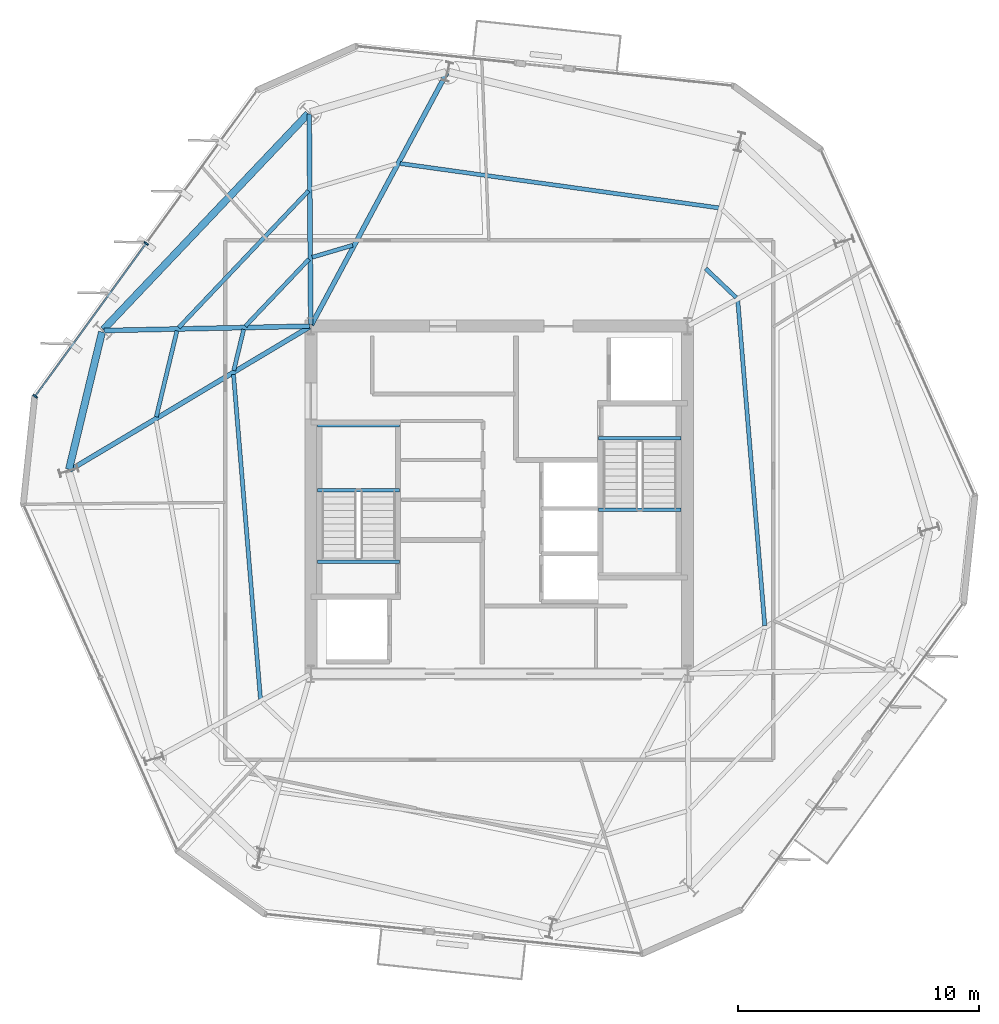
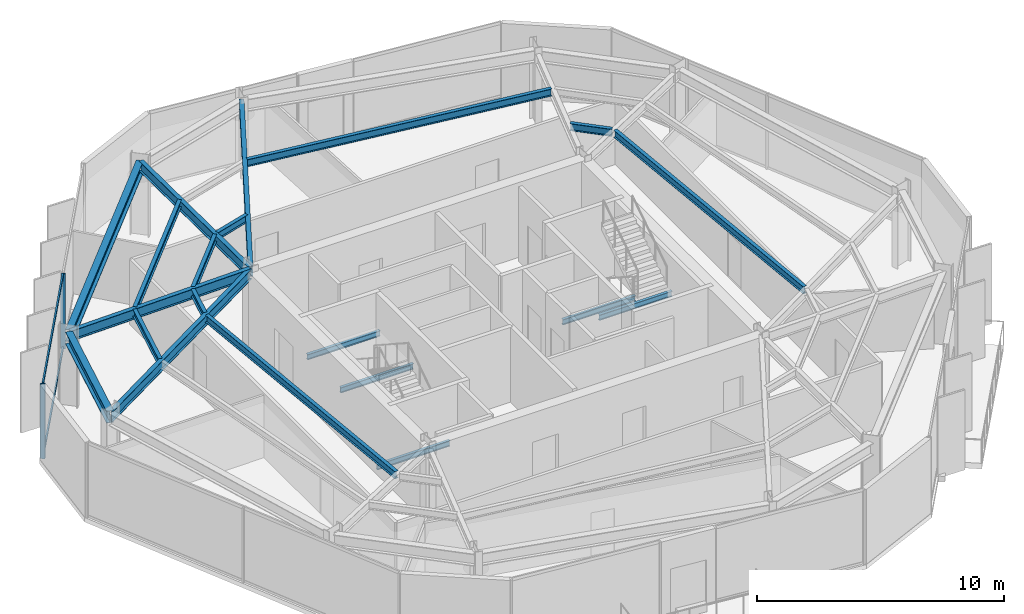
# One storey, part 4 of 12: 20 beams, 4 members, 1 element without a shape of its own.
"""IFC4 building model written with IfcOpenShell, lengths in metres."""

import ifcopenshell
import ifcopenshell.guid

model = None  # the IFC model being written
_history = None  # IfcOwnerHistory: only IFC2X3 demands one
_inside = {}  # id of a spatial element -> (the spatial element, [elements in it])
_under = {}  # id of a project, library or spatial element -> (it, [spatial elements below it])
_declared = {}  # id of a project -> (the project, [libraries it declares])
_typed = {}  # id of a type object -> (the type object, [elements of that type])
_made_of = {}  # id of a material, layer set ... -> (it, [elements and type objects made of it])


def new_model(schema):
    """Start an empty IFC model of exactly this schema.

    Asked for "IFC4X3", IfcOpenShell would pick the latest addendum, in which some entities
    have other attributes; the version numbers below select the first issue.
    IFC2X3 requires an IfcOwnerHistory on every rooted entity: one is made here for all.
    """
    global model, _history
    if schema == "IFC4X3":
        model = ifcopenshell.file(schema_version=(4, 3, 0, 0))
    else:
        model = ifcopenshell.file(schema=schema)
    _inside.clear()
    _under.clear()
    _declared.clear()
    _typed.clear()
    _made_of.clear()
    _history = None
    if model.schema == "IFC2X3":
        org = make("IfcOrganization", Name="unknown")
        user = make(
            "IfcPersonAndOrganization",
            ThePerson=make("IfcPerson", FamilyName="unknown"),
            TheOrganization=org,
        )
        app = make(
            "IfcApplication",
            ApplicationDeveloper=org,
            Version="unknown",
            ApplicationFullName="unknown",
            ApplicationIdentifier="unknown",
        )
        _history = make(
            "IfcOwnerHistory",
            OwningUser=user,
            OwningApplication=app,
            ChangeAction="ADDED",
            CreationDate=0,
        )
    return model


def make(cls, **values):
    """One entity of the class cls with the attributes given. An attribute that is None is left unset."""
    return model.create_entity(
        cls, **{name: value for name, value in values.items() if value is not None}
    )


def rooted(cls, **values):
    """An entity with a GlobalId (a new one), such as an element, a storey or a relation."""
    return make(cls, GlobalId=ifcopenshell.guid.new(), OwnerHistory=_history, **values)


def si_unit(unit_type, name, prefix=None):
    """IfcSIUnit, for example si_unit("LENGTHUNIT", "METRE", prefix="MILLI")."""
    return make("IfcSIUnit", UnitType=unit_type, Prefix=prefix, Name=name)


def assignment(units):
    """IfcUnitAssignment: the units of a project."""
    return None if units is None else make("IfcUnitAssignment", Units=units)


def point(xyz):
    """IfcCartesianPoint."""
    return None if xyz is None else make("IfcCartesianPoint", Coordinates=xyz)


def direction(xyz):
    """IfcDirection."""
    return None if xyz is None else make("IfcDirection", DirectionRatios=xyz)


def frame(location, z_axis=None, x_axis=None):
    """IfcAxis2Placement3D, a coordinate frame: its origin and axes. An axis left out is left unset."""
    return make(
        "IfcAxis2Placement3D",
        Location=point(location),
        Axis=direction(z_axis),
        RefDirection=direction(x_axis),
    )


def frame_2d(location, x_axis=None):
    """IfcAxis2Placement2D, a coordinate frame in the plane: its origin and x axis."""
    return make(
        "IfcAxis2Placement2D", Location=point(location), RefDirection=direction(x_axis)
    )


def origin():
    """The frame at (0, 0, 0) with its axes left unset."""
    return frame((0.0, 0.0, 0.0))


def origin_2d():
    """The frame at (0, 0) in the plane with its x axis left unset."""
    return frame_2d((0.0, 0.0))


def place(relative_to, where):
    """IfcLocalPlacement: puts the frame where relative to a parent placement (None: the world)."""
    return make(
        "IfcLocalPlacement", PlacementRelTo=relative_to, RelativePlacement=where
    )


def context(
    kind, dimensions, precision=None, world=None, true_north=None, identifier=None
):
    """IfcGeometricRepresentationContext, for example the 3D "Model" context."""
    return make(
        "IfcGeometricRepresentationContext",
        ContextIdentifier=identifier,
        ContextType=kind,
        CoordinateSpaceDimension=dimensions,
        Precision=precision,
        WorldCoordinateSystem=world,
        TrueNorth=true_north,
    )


def subcontext(parent, identifier, kind, view, scale=None):
    """IfcGeometricRepresentationSubContext, for example "Body" below "Model"."""
    return make(
        "IfcGeometricRepresentationSubContext",
        ContextIdentifier=identifier,
        ContextType=kind,
        ParentContext=parent,
        TargetScale=scale,
        TargetView=view,
    )


def project(units=None, contexts=None):
    """IfcProject with its units and contexts."""
    return rooted(
        "IfcProject",
        Name="project",
        RepresentationContexts=contexts,
        UnitsInContext=assignment(units),
    )


def spatial(cls, under=None, at=None, **own):
    """A site, building, storey or space (cls), placed at a placement, below another one or the project."""
    s = rooted(cls, ObjectPlacement=at, **own)
    if under is not None:
        _under.setdefault(under.id(), (under, []))[1].append(s)
    return s


def profile(cls, at=None, kind="AREA", **sizes):
    """A parametric profile (cls). Its sizes go by their IFC names, for example OverallWidth=200.0."""
    return make(cls, ProfileType=kind, Position=at, **sizes)


def rectangle(**sizes):
    """IfcRectangleProfileDef."""
    return profile("IfcRectangleProfileDef", **sizes)


def i_section(**sizes):
    """IfcIShapeProfileDef."""
    return profile("IfcIShapeProfileDef", **sizes)


def extrude(swept, where, along, depth):
    """IfcExtrudedAreaSolid: the profile swept, set in the frame where, extruded along a direction by depth."""
    return make(
        "IfcExtrudedAreaSolid",
        SweptArea=swept,
        Position=where,
        ExtrudedDirection=direction(along),
        Depth=depth,
    )


def shape(context_of_items, identifier, shape_type, items):
    """IfcShapeRepresentation: the items that make up one representation, for example the "Body"."""
    return make(
        "IfcShapeRepresentation",
        ContextOfItems=context_of_items,
        RepresentationIdentifier=identifier,
        RepresentationType=shape_type,
        Items=items,
    )


def material(Name=None, Category=None):
    """IfcMaterial."""
    return make("IfcMaterial", Name=Name, Category=Category)


def layer(
    of_material, thickness, ventilated=None, Name=None, Category=None, Priority=None
):
    """IfcMaterialLayer: one layer of a wall or slab, of a material (None: an air gap)."""
    return make(
        "IfcMaterialLayer",
        Material=of_material,
        LayerThickness=thickness,
        IsVentilated=ventilated,
        Name=Name,
        Category=Category,
        Priority=Priority,
    )


def layer_set(layers, Name=None):
    """IfcMaterialLayerSet."""
    return make("IfcMaterialLayerSet", MaterialLayers=layers, LayerSetName=Name)


def material_profile(
    of_material, cross_section, Name=None, Category=None, Priority=None
):
    """IfcMaterialProfile: a cross section and its material."""
    return make(
        "IfcMaterialProfile",
        Name=Name,
        Material=of_material,
        Profile=cross_section,
        Priority=Priority,
        Category=Category,
    )


def profile_set(profiles, Name=None, composite=None):
    """IfcMaterialProfileSet."""
    return make(
        "IfcMaterialProfileSet",
        Name=Name,
        MaterialProfiles=profiles,
        CompositeProfile=composite,
    )


def made_of(thing, what):
    """Note that an element or type object is made of a material, layer set ...; save() writes the relation."""
    if what is not None:
        _made_of.setdefault(what.id(), (what, []))[1].append(thing)
    return thing


def type_object(cls, material=None, **own):
    """A type object (cls), such as IfcWallType, which elements share."""
    return made_of(rooted(cls, **own), material)


def element(
    cls,
    number,
    at=None,
    inside=None,
    cuts=None,
    type_object=None,
    material=None,
    context=None,
    identifier="Body",
    shape_type=None,
    held_by="IfcProductDefinitionShape",
    body=None,
    shapes=None,
    **own,
):
    """One element of the class cls, such as IfcWall. Its Tag is "e" and its number.

    at: its placement. inside: the storey or other place that contains it. cuts: it is an
    opening in that element (IfcRelVoidsElement). A single representation is given by context,
    identifier, shape_type and body (its items); several are given by shapes. held_by: the class
    of the entity that holds the representations. save() writes the other relations.
    """
    e = rooted(cls, Tag="e%d" % number, ObjectPlacement=at, **own)
    if body is not None:
        shapes = [shape(context, identifier, shape_type, body)]
    if shapes is not None:
        e.Representation = make(held_by, Representations=shapes)
    if inside is not None:
        _inside.setdefault(inside.id(), (inside, []))[1].append(e)
    if cuts is not None:
        rooted(
            "IfcRelVoidsElement", RelatingBuildingElement=cuts, RelatedOpeningElement=e
        )
    if type_object is not None:
        _typed.setdefault(type_object.id(), (type_object, []))[1].append(e)
    return made_of(e, material)


def aggregate(whole, parts):
    """IfcRelAggregates: a whole, such as a stair, and the parts it consists of."""
    return rooted("IfcRelAggregates", RelatingObject=whole, RelatedObjects=parts)


def save(model, path):
    """Write the relations noted so far, then the file.

    IfcRelAggregates (storeys below a building ...), IfcRelContainedInSpatialStructure (elements
    in a storey), IfcRelDefinesByType, IfcRelAssociatesMaterial and IfcRelDeclares: one each for
    every whole, place, type object, material and project.
    """
    for whole, parts in _under.values():
        aggregate(whole, parts)
    for where, things in _inside.values():
        rooted(
            "IfcRelContainedInSpatialStructure",
            RelatedElements=things,
            RelatingStructure=where,
        )
    for kind, things in _typed.values():
        rooted("IfcRelDefinesByType", RelatedObjects=things, RelatingType=kind)
    for what, things in _made_of.values():
        rooted("IfcRelAssociatesMaterial", RelatedObjects=things, RelatingMaterial=what)
    for by, libraries in _declared.values():
        rooted("IfcRelDeclares", RelatingContext=by, RelatedDefinitions=libraries)
    model.write(path)


model = new_model("IFC4")

# Units and contexts
model_context = context("Model", 3, precision=1e-05, world=origin(), true_north=direction((0.0, 1.0)))
body_context = subcontext(model_context, "Body", "Model", "MODEL_VIEW")
ifc_project = project(units=[si_unit("LENGTHUNIT", "METRE"), si_unit("AREAUNIT", "SQUARE_METRE"), si_unit("VOLUMEUNIT", "CUBIC_METRE"), si_unit("PLANEANGLEUNIT", "RADIAN"), si_unit("MASSUNIT", "GRAM", prefix="KILO")], contexts=[model_context])

# Site, building, storey
site_placement = place(None, origin())
site = spatial("IfcSite", under=ifc_project, at=site_placement, CompositionType="ELEMENT")
building_placement = place(site_placement, origin())
building = spatial("IfcBuilding", under=site, at=building_placement, Name="Kranzbogen Civic Tower", CompositionType="ELEMENT")
storey_placement = place(building_placement, frame((0.0, 0.0, 240.800048828125)))
storey = spatial("IfcBuildingStorey", under=building, at=storey_placement, Name="L58", CompositionType="ELEMENT", Elevation=240.800048828125)

# Curtain wall, members
ifc_material_1 = material(Name="Pale Anodised Aluminium", Category="aluminium")
ifc_layer = layer(ifc_material_1, 0.219970703125, Name="Pale Anodised Aluminium")
ifc_layer_set = layer_set([ifc_layer], Name="Pale Anodised Aluminium")
curtain_wall_type = type_object("IfcCurtainWallType", Name="Zone 3 Stick Curtain Wall System CW-04", PredefinedType="USERDEFINED", material=ifc_layer_set)
curtain_wall_placement = place(storey_placement, origin())
curtain_wall = element("IfcCurtainWall", 1, at=curtain_wall_placement, inside=storey, type_object=curtain_wall_type, Name="L58 curtain wall CW-L58-F2", ObjectType="STICK CURTAIN WALL", PredefinedType="USERDEFINED")
ifc_material_profile_1 = material_profile(ifc_material_1, rectangle(XDim=0.070068359375, YDim=0.199951171875, at=origin_2d()), Name="ALU-M 70x200")
ifc_profile_set_1 = profile_set([ifc_material_profile_1], Name="Pale Anodised Aluminium")
member_type_1 = type_object("IfcMemberType", Name="Curtain Wall Mullion ALU-M 70x200", PredefinedType="MULLION", material=ifc_profile_set_1)
member_1_placement = place(storey_placement, frame((10.3798828125, 35.62255859375, 0.0), z_axis=(0.0, 0.0, 1.0), x_axis=(-0.587777922218, -0.809022319935, 0.0)))
member_1 = element("IfcMember", 2, at=member_1_placement, type_object=member_type_1, Name="CW-04 mullion 2", PredefinedType="MULLION", context=body_context, shape_type="SweptSolid", body=[
    extrude(rectangle(XDim=0.070068359375, YDim=0.199951171875, at=origin_2d()), origin(), (0.0, 0.0, 1.0), 3.699951171875),
])
member_2_placement = place(storey_placement, frame((5.78173828125, 29.293212890625, 0.0), z_axis=(0.0, 0.0, 1.0), x_axis=(-0.587777922218, -0.809022319935, 0.0)))
member_2 = element("IfcMember", 3, at=member_2_placement, type_object=member_type_1, Name="CW-04 mullion 3", PredefinedType="MULLION", context=body_context, shape_type="SweptSolid", body=[
    extrude(rectangle(XDim=0.070068359375, YDim=0.199951171875, at=origin_2d()), origin(), (0.0, 0.0, 1.0), 3.699951171875),
])
ifc_material_profile_2 = material_profile(ifc_material_1, rectangle(XDim=0.070068359375, YDim=0.14990234375, at=origin_2d()), Name="ALU-T 70x150")
ifc_profile_set_2 = profile_set([ifc_material_profile_2], Name="Pale Anodised Aluminium")
member_type_2 = type_object("IfcMemberType", Name="Curtain Wall Transom ALU-T 70x150", PredefinedType="USERDEFINED", material=ifc_profile_set_2)
member_3_placement = place(storey_placement, frame((10.3623046875, 35.59814453125, 0.030029296875), z_axis=(-0.587778942742, -0.809021578494, 0.0), x_axis=(0.809021578494, -0.587778942742, 0.0)))
member_3 = element("IfcMember", 4, at=member_3_placement, type_object=member_type_2, Name="CW-04 transom 2.1", ObjectType="TRANSOM", PredefinedType="USERDEFINED", context=body_context, shape_type="SweptSolid", body=[
    extrude(rectangle(XDim=0.070068359375, YDim=0.14990234375, at=origin_2d()), origin(), (0.0, 0.0, 1.0), 7.76318359375),
])
member_4_placement = place(storey_placement, frame((10.3623046875, 35.59814453125, 3.669921875), z_axis=(-0.587778942742, -0.809021578494, 0.0), x_axis=(0.809021578494, -0.587778942742, 0.0)))
member_4 = element("IfcMember", 5, at=member_4_placement, type_object=member_type_2, Name="CW-04 transom 2.2", ObjectType="TRANSOM", PredefinedType="USERDEFINED", context=body_context, shape_type="SweptSolid", body=[
    extrude(rectangle(XDim=0.070068359375, YDim=0.14990234375, at=origin_2d()), origin(), (0.0, 0.0, 1.0), 7.76318359375),
])
aggregate(curtain_wall, [member_1, member_2, member_3, member_4])

# Beams
ifc_material_2 = material(Name="Steel S355", Category="steel")
ifc_material_profile_3 = material_profile(ifc_material_2, i_section(OverallWidth=0.300048828125, OverallDepth=0.60009765625, WebThickness=0.015380859375, FlangeThickness=0.030029296875, at=origin_2d()), Name="HEB 600")
ifc_profile_set_3 = profile_set([ifc_material_profile_3], Name="Steel S355")
beam_type_1 = type_object("IfcBeamType", Name="Perimeter Tube Spandrel Beam HEB 600", PredefinedType="SPANDREL", material=ifc_profile_set_3)
beam_1_placement = place(storey_placement, frame((17.092041015625, 41.0, 3.39990234375), z_axis=(-0.688373497874, -0.725356414065, 0.0), x_axis=(0.725356414065, -0.688373497874, 0.0)))
element("IfcBeam", 6, at=beam_1_placement, inside=storey, type_object=beam_type_1, Name="L58 perimeter spandrel beam 10", PredefinedType="SPANDREL", context=body_context, shape_type="SweptSolid", body=[
    extrude(i_section(OverallWidth=0.300048828125, OverallDepth=0.60009765625, WebThickness=0.015380859375, FlangeThickness=0.030029296875, at=origin_2d()), origin(), (0.0, 0.0, 1.0), 12.324951171875),
])
beam_2_placement = place(storey_placement, frame((8.552978515625, 31.9580078125, 3.39990234375), z_axis=(-0.233554380434, -0.972343741369, 0.0), x_axis=(0.972343741369, -0.233554380434, 0.0)))
element("IfcBeam", 7, at=beam_2_placement, inside=storey, type_object=beam_type_1, Name="L58 perimeter spandrel beam 11", PredefinedType="SPANDREL", context=body_context, shape_type="SweptSolid", body=[
    extrude(i_section(OverallWidth=0.300048828125, OverallDepth=0.60009765625, WebThickness=0.015380859375, FlangeThickness=0.030029296875, at=origin_2d()), origin(), (0.0, 0.0, 1.0), 5.852783203125),
])
ifc_material_profile_4 = material_profile(ifc_material_2, i_section(OverallWidth=0.199951171875, OverallDepth=0.5, WebThickness=0.01025390625, FlangeThickness=0.01611328125, at=origin_2d()), Name="IPE 500")
ifc_profile_set_4 = profile_set([ifc_material_profile_4], Name="Steel S355")
beam_type_2 = type_object("IfcBeamType", Name="Radial Tower Floor Girder IPE 500", PredefinedType="BEAM", material=ifc_profile_set_4)
beam_3_placement = place(storey_placement, frame((22.83203125, 42.68701171875, 3.449951171875), z_axis=(-0.473160413549, -0.880976289721, 0.0), x_axis=(0.880976289721, -0.473160413549, 0.0)))
element("IfcBeam", 8, at=beam_3_placement, inside=storey, type_object=beam_type_2, Name="L58 radial floor girder 09", PredefinedType="BEAM", context=body_context, shape_type="SweptSolid", body=[
    extrude(i_section(OverallWidth=0.199951171875, OverallDepth=0.5, WebThickness=0.01025390625, FlangeThickness=0.01611328125, at=origin_2d()), origin(), (0.0, 0.0, 1.0), 11.84375),
])
beam_4_placement = place(storey_placement, frame((17.133056640625, 40.98388671875, 3.449951171875), z_axis=(0.007667756557, -0.999970602323, 0.0), x_axis=(0.999970602323, 0.007667756557, 0.0)))
element("IfcBeam", 9, at=beam_4_placement, inside=storey, type_object=beam_type_2, Name="L58 radial floor girder 10", PredefinedType="BEAM", context=body_context, shape_type="SweptSolid", body=[
    extrude(i_section(OverallWidth=0.199951171875, OverallDepth=0.5, WebThickness=0.01025390625, FlangeThickness=0.01611328125, at=origin_2d()), origin(), (0.0, 0.0, 1.0), 8.72412109375),
])
beam_5_placement = place(storey_placement, frame((8.626953125, 32.01708984375, 3.449951171875), z_axis=(0.99977183191, 0.021360808018, 0.0), x_axis=(-0.021360808018, 0.99977183191, 0.0)))
element("IfcBeam", 10, at=beam_5_placement, inside=storey, type_object=beam_type_2, Name="L58 radial floor girder 11", PredefinedType="BEAM", context=body_context, shape_type="SweptSolid", body=[
    extrude(i_section(OverallWidth=0.199951171875, OverallDepth=0.5, WebThickness=0.01025390625, FlangeThickness=0.01611328125, at=origin_2d()), origin(), (0.0, 0.0, 1.0), 8.514892578125),
])
beam_6_placement = place(storey_placement, frame((7.22412109375, 26.239990234375, 3.449951171875), z_axis=(0.858458551809, 0.512882944565, 0.0), x_axis=(-0.512882944565, 0.858458551809, 0.0)))
element("IfcBeam", 11, at=beam_6_placement, inside=storey, type_object=beam_type_2, Name="L58 radial floor girder 12", PredefinedType="BEAM", context=body_context, shape_type="SweptSolid", body=[
    extrude(i_section(OverallWidth=0.199951171875, OverallDepth=0.5, WebThickness=0.01025390625, FlangeThickness=0.01611328125, at=origin_2d()), origin(), (0.0, 0.0, 1.0), 11.56005859375),
])
ifc_material_profile_5 = material_profile(ifc_material_2, i_section(OverallWidth=0.169921875, OverallDepth=0.360107421875, WebThickness=0.008056640625, FlangeThickness=0.0126953125, at=origin_2d()), Name="IPE 360")
ifc_profile_set_5 = profile_set([ifc_material_profile_5], Name="Steel S355")
beam_type_3 = type_object("IfcBeamType", Name="Secondary Composite Floor Joist IPE 360", PredefinedType="JOIST", material=ifc_profile_set_5)
beam_7_placement = place(storey_placement, frame((36.001953125, 19.797119140625, 3.52001953125), z_axis=(-0.082825426692, 0.996564071544, 0.0), x_axis=(-0.996564071544, -0.082825426692, 0.0)))
element("IfcBeam", 12, at=beam_7_placement, inside=storey, type_object=beam_type_3, Name="L58 secondary floor joist 2.06", PredefinedType="JOIST", context=body_context, shape_type="SweptSolid", body=[
    extrude(i_section(OverallWidth=0.169921875, OverallDepth=0.360107421875, WebThickness=0.008056640625, FlangeThickness=0.0126953125, at=origin_2d()), origin(), (0.0, 0.0, 1.0), 13.497314453125),
])
beam_8_placement = place(storey_placement, frame((34.820068359375, 33.383056640625, 3.52001953125), z_axis=(-0.725479767774, 0.688243493649, 0.0), x_axis=(-0.688243493649, -0.725479767774, 0.0)))
element("IfcBeam", 13, at=beam_8_placement, inside=storey, type_object=beam_type_3, Name="L58 secondary floor joist 2.07", PredefinedType="JOIST", context=body_context, shape_type="SweptSolid", body=[
    extrude(i_section(OverallWidth=0.169921875, OverallDepth=0.360107421875, WebThickness=0.008056640625, FlangeThickness=0.0126953125, at=origin_2d()), origin(), (0.0, 0.0, 1.0), 1.75048828125),
])
beam_9_placement = place(storey_placement, frame((34.10400390625, 37.096923828125, 3.52001953125), z_axis=(-0.990445837232, 0.137902296968, 0.0), x_axis=(-0.137902296968, -0.990445837232, 0.0)))
element("IfcBeam", 14, at=beam_9_placement, inside=storey, type_object=beam_type_3, Name="L58 secondary floor joist 1.08", PredefinedType="JOIST", context=body_context, shape_type="SweptSolid", body=[
    extrude(i_section(OverallWidth=0.169921875, OverallDepth=0.360107421875, WebThickness=0.008056640625, FlangeThickness=0.0126953125, at=origin_2d()), origin(), (0.0, 0.0, 1.0), 13.329345703125),
])
beam_10_placement = place(storey_placement, frame((18.93408203125, 35.550048828125, 3.52001953125), z_axis=(-0.958871214757, -0.283841493638, 0.0), x_axis=(0.283841493638, -0.958871214757, 0.0)))
element("IfcBeam", 15, at=beam_10_placement, inside=storey, type_object=beam_type_3, Name="L58 secondary floor joist 2.09", PredefinedType="JOIST", context=body_context, shape_type="SweptSolid", body=[
    extrude(i_section(OverallWidth=0.169921875, OverallDepth=0.360107421875, WebThickness=0.008056640625, FlangeThickness=0.0126953125, at=origin_2d()), origin(), (0.0, 0.0, 1.0), 1.751220703125),
])
beam_11_placement = place(storey_placement, frame((17.10205078125, 37.802001953125, 3.52001953125), z_axis=(-0.688282381634, -0.725442873789, 0.0), x_axis=(0.725442873789, -0.688282381634, 0.0)))
element("IfcBeam", 16, at=beam_11_placement, inside=storey, type_object=beam_type_3, Name="L58 secondary floor joist 1.10", PredefinedType="JOIST", context=body_context, shape_type="SweptSolid", body=[
    extrude(i_section(OverallWidth=0.169921875, OverallDepth=0.360107421875, WebThickness=0.008056640625, FlangeThickness=0.0126953125, at=origin_2d()), origin(), (0.0, 0.0, 1.0), 7.804931640625),
])
beam_12_placement = place(storey_placement, frame((17.123046875, 34.971923828125, 3.52001953125), z_axis=(-0.688175084876, -0.725544659243, 0.0), x_axis=(0.725544659243, -0.688175084876, 0.0)))
element("IfcBeam", 17, at=beam_12_placement, inside=storey, type_object=beam_type_3, Name="L58 secondary floor joist 2.10", PredefinedType="JOIST", context=body_context, shape_type="SweptSolid", body=[
    extrude(i_section(OverallWidth=0.169921875, OverallDepth=0.360107421875, WebThickness=0.008056640625, FlangeThickness=0.0126953125, at=origin_2d()), origin(), (0.0, 0.0, 1.0), 3.82177734375),
])
beam_13_placement = place(storey_placement, frame((11.656005859375, 32.00390625, 3.52001953125), z_axis=(-0.233534367714, -0.972348548154, 0.0), x_axis=(0.972348548154, -0.233534367714, 0.0)))
element("IfcBeam", 18, at=beam_13_placement, inside=storey, type_object=beam_type_3, Name="L58 secondary floor joist 1.11", PredefinedType="JOIST", context=body_context, shape_type="SweptSolid", body=[
    extrude(i_section(OverallWidth=0.169921875, OverallDepth=0.360107421875, WebThickness=0.008056640625, FlangeThickness=0.0126953125, at=origin_2d()), origin(), (0.0, 0.0, 1.0), 3.6611328125),
])
beam_14_placement = place(storey_placement, frame((14.4189453125, 32.06298828125, 3.52001953125), z_axis=(-0.233631438607, -0.972325228972, 0.0), x_axis=(0.972325228972, -0.233631438607, 0.0)))
element("IfcBeam", 19, at=beam_14_placement, inside=storey, type_object=beam_type_3, Name="L58 secondary floor joist 2.11", PredefinedType="JOIST", context=body_context, shape_type="SweptSolid", body=[
    extrude(i_section(OverallWidth=0.169921875, OverallDepth=0.360107421875, WebThickness=0.008056640625, FlangeThickness=0.0126953125, at=origin_2d()), origin(), (0.0, 0.0, 1.0), 1.750244140625),
])
beam_15_placement = place(storey_placement, frame((13.998046875, 30.202880859375, 3.52001953125), z_axis=(0.082825426692, -0.996564071544, 0.0), x_axis=(0.996564071544, 0.082825426692, 0.0)))
element("IfcBeam", 20, at=beam_15_placement, inside=storey, type_object=beam_type_3, Name="L58 secondary floor joist 2.12", PredefinedType="JOIST", context=body_context, shape_type="SweptSolid", body=[
    extrude(i_section(OverallWidth=0.169921875, OverallDepth=0.360107421875, WebThickness=0.008056640625, FlangeThickness=0.0126953125, at=origin_2d()), origin(), (0.0, 0.0, 1.0), 13.497314453125),
])
ifc_material_profile_6 = material_profile(ifc_material_2, i_section(OverallWidth=0.135009765625, OverallDepth=0.27001953125, WebThickness=0.006591796875, FlangeThickness=0.01025390625, at=origin_2d()), Name="IPE 270")
ifc_profile_set_6 = profile_set([ifc_material_profile_6], Name="Steel S355")
beam_type_4 = type_object("IfcBeamType", Name="Stair Landing Support Beam IPE 270", PredefinedType="JOIST", material=ifc_profile_set_6)
for number, where, z_axis, x_axis, name in (
    (21, (20.8798828125, 22.43994140625, -0.35498046875), (-1.0, 0.0, 0.0), (0.0, -1.0, 0.0), "L58 ST-T1 stair floor header beam"),
    (22, (20.8798828125, 25.39990234375, 1.6650390625), (-1.0, 0.0, 0.0), (0.0, -1.0, 0.0), "L58 ST-T1 landing support beam 1.1"),
    (23, (20.8798828125, 28.10009765625, 1.6650390625), (-1.0, 0.0, 0.0), (0.0, -1.0, 0.0), "L58 ST-T1 landing support beam 1.2"),
    (24, (29.1201171875, 27.56005859375, -0.35498046875), (1.0, 0.0, 0.0), (0.0, 1.0, 0.0), "L58 ST-T2 stair floor header beam"),
    (25, (29.1201171875, 24.60009765625, 1.6650390625), (1.0, 0.0, 0.0), (0.0, 1.0, 0.0), "L58 ST-T2 landing support beam 1.1"),
):
    element("IfcBeam", number, at=place(storey_placement, frame(where, z_axis=z_axis, x_axis=x_axis)), inside=storey, type_object=beam_type_4, Name=name, PredefinedType="JOIST", context=body_context, shape_type="SweptSolid", body=[
        extrude(i_section(OverallWidth=0.135009765625, OverallDepth=0.27001953125, WebThickness=0.006591796875, FlangeThickness=0.01025390625, at=origin_2d()), origin(), (0.0, 0.0, 1.0), 3.409912109375),
    ])

save(model, "model.ifc")
